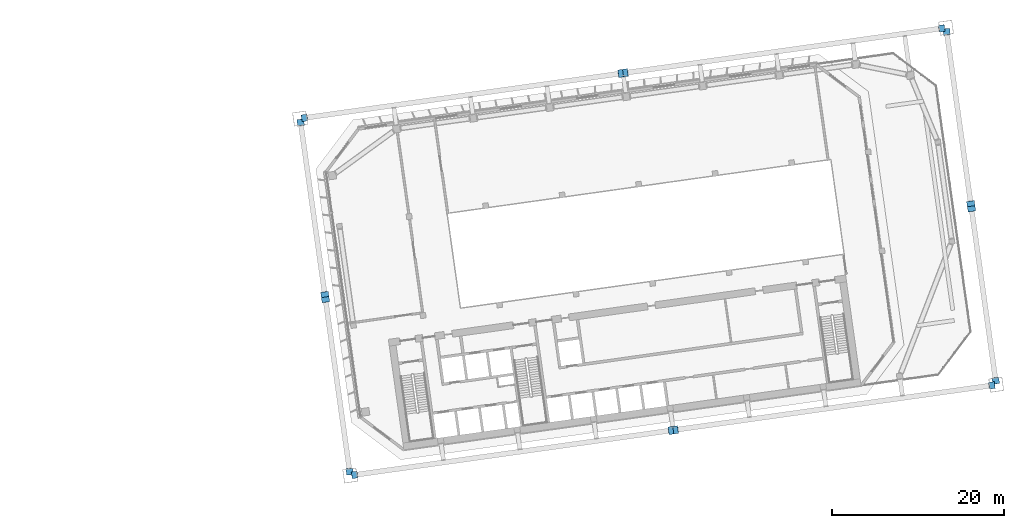
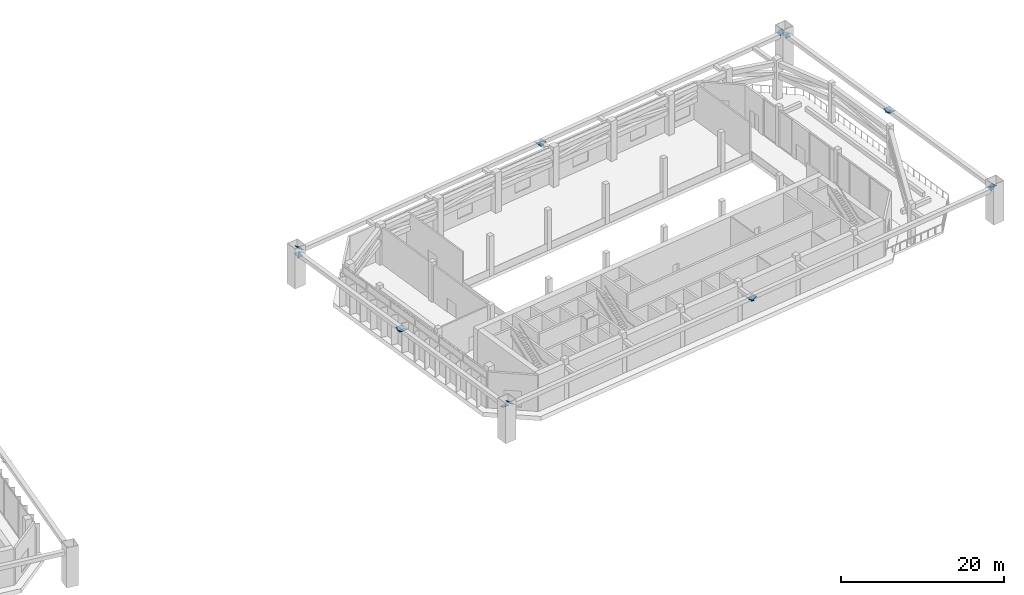
# One storey, part 28 of 41: 16 discrete accessories.
"""IFC4 building model written with IfcOpenShell, lengths in metres."""

from ifc_helpers import new_model, si_unit, direction, frame, origin, origin_2d, place, context, subcontext, project, spatial, rectangle, extrude, material, material_profile, profile_set, type_object, element, save


model = new_model("IFC4")

# Units and contexts
model_context = context("Model", 3, precision=1e-05, world=origin(), true_north=direction((0.0, 1.0)))
body_context = subcontext(model_context, "Body", "Model", "MODEL_VIEW")
ifc_project = project(units=[si_unit("LENGTHUNIT", "METRE"), si_unit("AREAUNIT", "SQUARE_METRE"), si_unit("VOLUMEUNIT", "CUBIC_METRE"), si_unit("PLANEANGLEUNIT", "RADIAN"), si_unit("MASSUNIT", "GRAM", prefix="KILO")], contexts=[model_context])

# Site, building, storey
site_placement = place(None, origin())
site = spatial("IfcSite", under=ifc_project, at=site_placement, CompositionType="ELEMENT")
building_placement = place(site_placement, origin())
building = spatial("IfcBuilding", under=site, at=building_placement, Name="Mirante Cascada Hotel Towers", CompositionType="ELEMENT")
storey_placement = place(building_placement, frame((0.0, 0.0, 92.7)))
storey = spatial("IfcBuildingStorey", under=building, at=storey_placement, Name="L20", CompositionType="ELEMENT", Elevation=92.7)

# Discrete accessories
ifc_material_1 = material(Name="Steel ASTM A572 Gr 50", Category="steel")
ifc_material_profile_1 = material_profile(ifc_material_1, rectangle(XDim=0.8, YDim=0.8, at=origin_2d()), Name="Connection plate 800x800x25 ASTM A572 Gr 50")
ifc_profile_set_1 = profile_set([ifc_material_profile_1], Name="Steel ASTM A572 Gr 50")
discrete_accessory_type_1 = type_object("IfcDiscreteAccessoryType", Name="Connection plate 800x800x25 ASTM A572 Gr 50", PredefinedType="BRACKET", material=ifc_profile_set_1)
discrete_accessory_1_placement = place(storey_placement, frame((25.5984, 18.5878, 5.1722), z_axis=(0.5345565, 0.0757953, 0.841727), x_axis=(-0.1403868, 0.9900967, 0.0)))
element("IfcDiscreteAccessory", 1, at=discrete_accessory_1_placement, inside=storey, type_object=discrete_accessory_type_1, Name="Connection plate MB-FL20L", PredefinedType="BRACKET", context=body_context, shape_type="SweptSolid", body=[
    extrude(rectangle(XDim=0.8, YDim=0.8, at=origin_2d()), origin(), (0.0, 0.0, 1.0), 0.0251),
])
for number, where, z_axis, x_axis, name in (
    (2, (99.8556, 29.0239, 5.1722), (-0.5318554, -0.0719804, 0.8437705), (0.1341157, -0.9909657, 0.0), "Connection plate MB-FL20R"),
    (3, (31.4437, -23.0035, 5.1722), (0.5316981, 0.0759569, 0.843521), (-0.1414214, 0.9899495, 0.0), "Connection plate MB-RL20L"),
):
    element("IfcDiscreteAccessory", number, at=place(storey_placement, frame(where, z_axis=z_axis, x_axis=x_axis)), inside=storey, type_object=discrete_accessory_type_1, Name=name, PredefinedType="BRACKET", context=body_context, shape_type="SweptSolid", body=[
        extrude(rectangle(XDim=0.8, YDim=0.8, at=origin_2d()), origin(), (0.0, 0.0, 1.0), 0.025),
    ])
discrete_accessory_2_placement = place(storey_placement, frame((105.7009, -12.5673, 5.1722), z_axis=(-0.5345565, -0.0757953, 0.841727), x_axis=(0.1403868, -0.9900967, 0.0)))
element("IfcDiscreteAccessory", 4, at=discrete_accessory_2_placement, inside=storey, type_object=discrete_accessory_type_1, Name="Connection plate MB-RL20R", PredefinedType="BRACKET", context=body_context, shape_type="SweptSolid", body=[
    extrude(rectangle(XDim=0.8, YDim=0.8, at=origin_2d()), origin(), (0.0, 0.0, 1.0), 0.0251),
])
for number, where, z_axis, x_axis, name in (
    (5, (30.877, -22.6106, 4.6718), (-0.0480381, 0.3242569, 0.9447485), (-0.9892035, -0.1465487, 0.0), "Connection plate MB-IL20L"),
    (6, (25.162, 18.0539, 4.6718), (0.044043, -0.3243167, 0.9449227), (0.9909045, 0.1345673, 0.0), "Connection plate MB-IL20R"),
    (7, (106.1368, -12.028, 4.8043), (-0.0680577, 0.3643091, 0.9287879), (-0.9829943, -0.1836363, 0.0), "Connection plate MB-OL20L"),
):
    element("IfcDiscreteAccessory", number, at=place(storey_placement, frame(where, z_axis=z_axis, x_axis=x_axis)), inside=storey, type_object=discrete_accessory_type_1, Name=name, PredefinedType="BRACKET", context=body_context, shape_type="SweptSolid", body=[
        extrude(rectangle(XDim=0.8, YDim=0.8, at=origin_2d()), origin(), (0.0, 0.0, 1.0), 0.025),
    ])
discrete_accessory_3_placement = place(storey_placement, frame((100.4233, 28.6256, 4.8043), z_axis=(0.0360908, -0.3649178, 0.93034), x_axis=(0.9951449, 0.0984209, 0.0)))
element("IfcDiscreteAccessory", 8, at=discrete_accessory_3_placement, inside=storey, type_object=discrete_accessory_type_1, Name="Connection plate MB-OL20R", PredefinedType="BRACKET", context=body_context, shape_type="SweptSolid", body=[
    extrude(rectangle(XDim=0.8, YDim=0.8, at=origin_2d()), origin(), (0.0, 0.0, 1.0), 0.0249),
])
ifc_material_2 = material(Name="Steel ASTM A572 Gr 50", Category="steel")
ifc_material_profile_2 = material_profile(ifc_material_2, rectangle(XDim=0.9, YDim=0.9, at=origin_2d()), Name="Connection plate 900x900x25 ASTM A572 Gr 50")
ifc_profile_set_2 = profile_set([ifc_material_profile_2], Name="Steel ASTM A572 Gr 50")
discrete_accessory_type_2 = type_object("IfcDiscreteAccessoryType", Name="Connection plate 900x900x25 ASTM A572 Gr 50", PredefinedType="BRACKET", material=ifc_profile_set_2)
for number, where, z_axis, x_axis, name in (
    (9, (62.537, 23.7792, 4.6921), (0.5438347, 0.0759769, 0.835746), (-0.1383621, 0.9903817, 0.0), "Connection plate MB-FL06L"),
    (10, (62.917, 23.8326, 4.6921), (-0.5438347, -0.0759769, 0.835746), (0.1383621, -0.9903817, 0.0), "Connection plate MB-FL06R"),
    (11, (68.3823, -17.8121, 4.6921), (0.5438347, 0.0759769, 0.835746), (-0.1383621, 0.9903817, 0.0), "Connection plate MB-RL06L"),
    (12, (68.7623, -17.7587, 4.6921), (-0.5438347, -0.0759769, 0.835746), (0.1383621, -0.9903817, 0.0), "Connection plate MB-RL06R"),
    (13, (28.0458, -2.4657, 4.7878), (-0.0479123, 0.3313934, 0.9422753), (-0.9897096, -0.1430905, 0.0), "Connection plate MB-IL06L"),
    (14, (27.9931, -2.091, 4.7878), (0.0479123, -0.3313934, 0.9422753), (0.9897096, 0.1430905, 0.0), "Connection plate MB-IL06R"),
    (15, (103.3062, 8.1115, 4.7878), (-0.0479754, 0.3278322, 0.943517), (-0.9894611, -0.1447992, 0.0), "Connection plate MB-OL06L"),
    (16, (103.2535, 8.4861, 4.7878), (0.0479754, -0.3278322, 0.943517), (0.9894611, 0.1447992, 0.0), "Connection plate MB-OL06R"),
):
    element("IfcDiscreteAccessory", number, at=place(storey_placement, frame(where, z_axis=z_axis, x_axis=x_axis)), inside=storey, type_object=discrete_accessory_type_2, Name=name, PredefinedType="BRACKET", context=body_context, shape_type="SweptSolid", body=[
        extrude(rectangle(XDim=0.9, YDim=0.9, at=origin_2d()), origin(), (0.0, 0.0, 1.0), 0.025),
    ])

save(model, "model.ifc")
